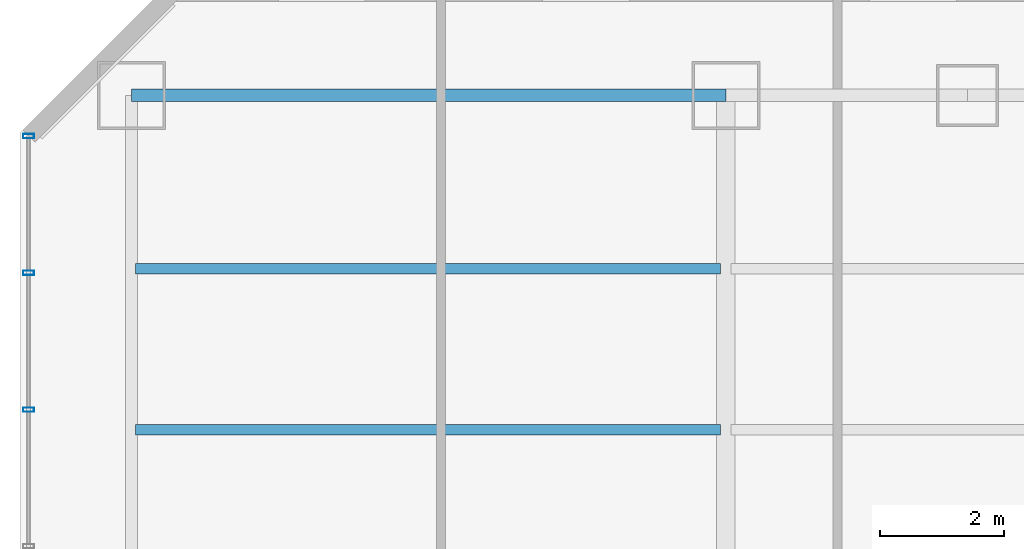
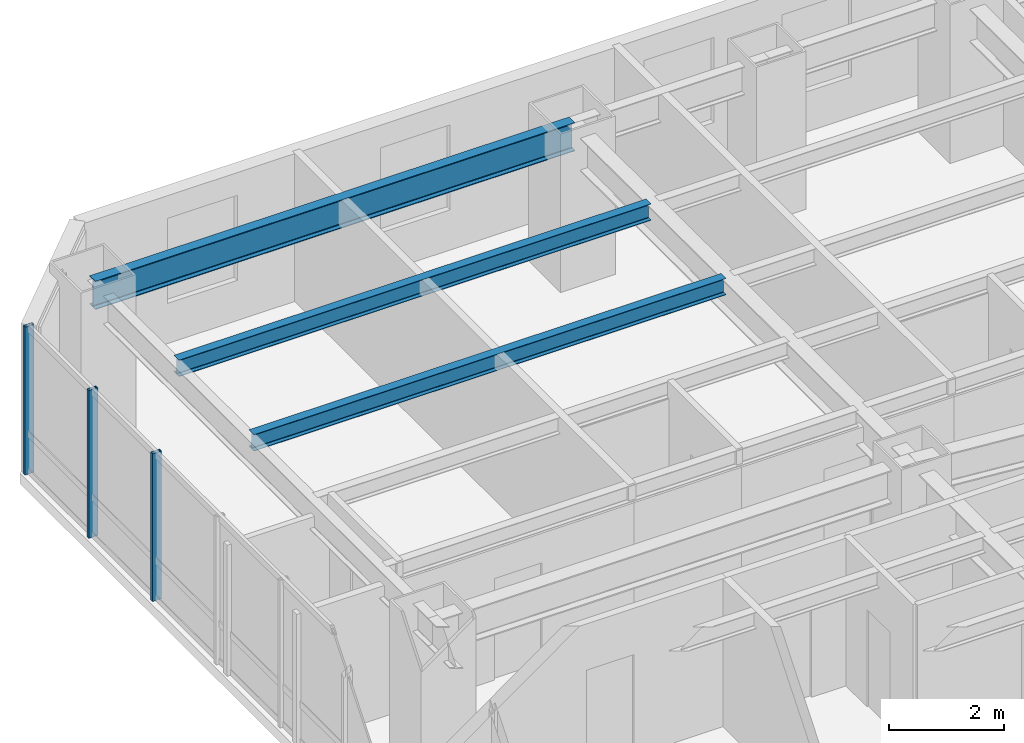
# One storey, part 16 of 32: 3 beams, 3 members, 1 element without a shape of its own.
"""IFC4 building model written with IfcOpenShell, lengths in metres."""

from ifc_helpers import new_model, si_unit, direction, frame, origin, origin_2d, place, context, subcontext, project, spatial, hollow_rectangle, i_section, extrude, material, layer, layer_set, material_profile, profile_set, type_object, element, aggregate, save


model = new_model("IFC4")

# Units and contexts
model_context = context("Model", 3, precision=1e-05, world=origin(), true_north=direction((0.0, 1.0)))
body_context = subcontext(model_context, "Body", "Model", "MODEL_VIEW")
ifc_project = project(units=[si_unit("LENGTHUNIT", "METRE"), si_unit("AREAUNIT", "SQUARE_METRE"), si_unit("VOLUMEUNIT", "CUBIC_METRE"), si_unit("PLANEANGLEUNIT", "RADIAN"), si_unit("MASSUNIT", "GRAM", prefix="KILO")], contexts=[model_context])

# Site, building, storey
site_placement = place(None, origin())
site = spatial("IfcSite", under=ifc_project, at=site_placement, CompositionType="ELEMENT")
building_placement = place(site_placement, origin())
building = spatial("IfcBuilding", under=site, at=building_placement, Name="Hatsunagi Terrace Concourse", CompositionType="ELEMENT")
storey_placement = place(building_placement, frame((0.0, 0.0, 36.60009765625)))
storey = spatial("IfcBuildingStorey", under=building, at=storey_placement, Name="L08", CompositionType="ELEMENT", Elevation=36.60009765625)

# Curtain wall, members
ifc_material_1 = material(Name="Anodised Aluminium Alloy 6063-T5", Category="aluminium")
ifc_layer = layer(ifc_material_1, 0.199951171875)
ifc_layer_set = layer_set([ifc_layer], Name="HotelFacade_CW02")
curtain_wall_type = type_object("IfcCurtainWallType", Name="HotelFacade_CW02", PredefinedType="NOTDEFINED", material=ifc_layer_set)
curtain_wall_placement = place(storey_placement, origin())
curtain_wall = element("IfcCurtainWall", 1, at=curtain_wall_placement, inside=storey, type_object=curtain_wall_type, Name="Unitised Curtain Wall CW-02 CW-L08-09", PredefinedType="NOTDEFINED")
ifc_material_2 = material(Name="Anodised Aluminium Alloy 6063-T5", Category="aluminium")
ifc_material_profile_1 = material_profile(ifc_material_2, hollow_rectangle(XDim=0.070068359375, YDim=0.179931640625, WallThickness=0.00390625, at=origin_2d()), Name="ALU-MUL-180x70x4")
ifc_profile_set_1 = profile_set([ifc_material_profile_1], Name="Anodised Aluminium Alloy 6063-T5")
member_type = type_object("IfcMemberType", Name="CurtainWallMullion_180x70", PredefinedType="MULLION", material=ifc_profile_set_1)
member_1_placement = place(storey_placement, frame((0.139892578125, 43.52490234375, 0.0), z_axis=(0.0, 0.0, 1.0), x_axis=(0.0, 1.0, 0.0)))
member_1 = element("IfcMember", 2, at=member_1_placement, type_object=member_type, Name="Curtain Wall Mullion MUL-02", PredefinedType="MULLION", context=body_context, shape_type="SweptSolid", body=[
    extrude(hollow_rectangle(XDim=0.070068359375, YDim=0.179931640625, WallThickness=0.00390625, at=origin_2d()), origin(), (0.0, 0.0, 1.0), 3.1298828125),
])
member_2_placement = place(storey_placement, frame((0.139892578125, 45.73388671875, 0.0), z_axis=(0.0, 0.0, 1.0), x_axis=(0.0, 1.0, 0.0)))
member_2 = element("IfcMember", 3, at=member_2_placement, type_object=member_type, Name="Curtain Wall Mullion MUL-02", PredefinedType="MULLION", context=body_context, shape_type="SweptSolid", body=[
    extrude(hollow_rectangle(XDim=0.070068359375, YDim=0.179931640625, WallThickness=0.00390625, at=origin_2d()), origin(), (0.0, 0.0, 1.0), 3.1298828125),
])
member_3_placement = place(storey_placement, frame((0.139892578125, 47.94189453125, 0.0), z_axis=(0.0, 0.0, 1.0), x_axis=(0.0, 1.0, 0.0)))
member_3 = element("IfcMember", 4, at=member_3_placement, type_object=member_type, Name="Curtain Wall Mullion MUL-02", PredefinedType="MULLION", context=body_context, shape_type="SweptSolid", body=[
    extrude(hollow_rectangle(XDim=0.070068359375, YDim=0.179931640625, WallThickness=0.00390625, at=origin_2d()), origin(), (0.0, 0.0, 1.0), 3.1298828125),
])
aggregate(curtain_wall, [member_1, member_2, member_3])

# Beams
ifc_material_3 = material(Name="Steel SN490B", Category="steel")
ifc_material_profile_2 = material_profile(ifc_material_3, i_section(OverallWidth=0.175048828125, OverallDepth=0.35009765625, WebThickness=0.007080078125, FlangeThickness=0.010986328125, FilletRadius=0.012939453125, at=origin_2d()), Name="H-350x175x7x11")
ifc_profile_set_2 = profile_set([ifc_material_profile_2], Name="Steel SN490B")
beam_type_1 = type_object("IfcBeamType", Name="HotelJoist_H_350x175", PredefinedType="JOIST", material=ifc_profile_set_2)
for number, where, z_axis, x_axis, name in (
    (5, (1.864990234375, 43.199951171875, 2.954833984375), (1.0, 0.0, 0.0), (0.0, 1.0, 0.0), "Beam J-02 J-L08-W-1-432"),
    (6, (1.864990234375, 45.800048828125, 2.954833984375), (1.0, 0.0, 0.0), (0.0, 1.0, 0.0), "Beam J-02 J-L08-W-1-458"),
):
    element("IfcBeam", number, at=place(storey_placement, frame(where, z_axis=z_axis, x_axis=x_axis)), inside=storey, type_object=beam_type_1, Name=name, PredefinedType="JOIST", context=body_context, shape_type="SweptSolid", body=[
        extrude(i_section(OverallWidth=0.175048828125, OverallDepth=0.35009765625, WebThickness=0.007080078125, FlangeThickness=0.010986328125, FilletRadius=0.012939453125, at=origin_2d()), origin(), (0.0, 0.0, 1.0), 9.449951171875),
    ])
ifc_material_4 = material(Name="Steel SN490B", Category="steel")
ifc_material_profile_3 = material_profile(ifc_material_4, i_section(OverallWidth=0.199951171875, OverallDepth=0.60009765625, WebThickness=0.010986328125, FlangeThickness=0.01708984375, FilletRadius=0.01806640625, at=origin_2d()), Name="H-600x200x11x17")
ifc_profile_set_3 = profile_set([ifc_material_profile_3], Name="Steel SN490B")
beam_type_2 = type_object("IfcBeamType", Name="PerimeterSpandrel_H_600x200", PredefinedType="SPANDREL", material=ifc_profile_set_3)
beam_placement = place(storey_placement, frame((1.800048828125, 48.60009765625, 2.829833984375), z_axis=(1.0, 0.0, 0.0), x_axis=(0.0, 1.0, 0.0)))
element("IfcBeam", 7, at=beam_placement, inside=storey, type_object=beam_type_2, Name="Beam SP-01 BM-L08-WN-1", PredefinedType="SPANDREL", context=body_context, shape_type="SweptSolid", body=[
    extrude(i_section(OverallWidth=0.199951171875, OverallDepth=0.60009765625, WebThickness=0.010986328125, FlangeThickness=0.01708984375, FilletRadius=0.01806640625, at=origin_2d()), origin(), (0.0, 0.0, 1.0), 9.599853515625),
])

save(model, "model.ifc")
